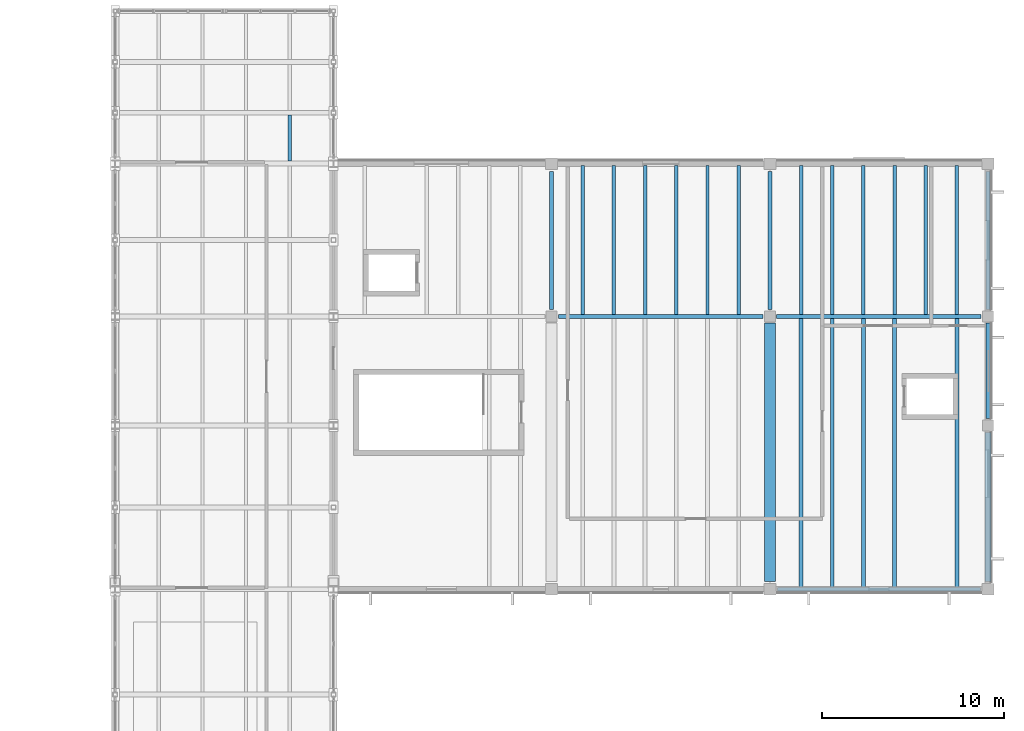
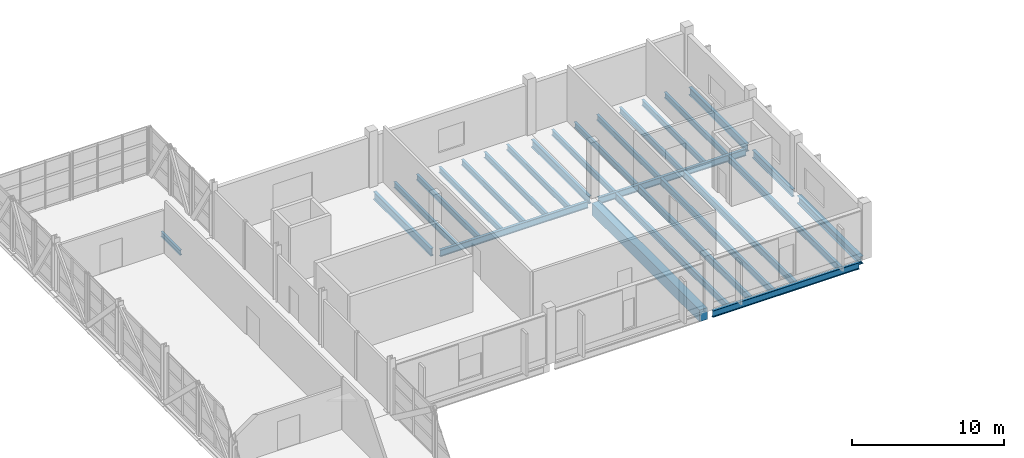
# One storey, part 37 of 63: 27 beams.
"""IFC4 building model written with IfcOpenShell, lengths in metres."""

from ifc_helpers import new_model, si_unit, direction, frame, origin, origin_2d, place, context, subcontext, project, spatial, rectangle, i_section, extrude, material, material_profile, profile_set, type_object, element, save


model = new_model("IFC4")

# Units and contexts
model_context = context("Model", 3, precision=1e-05, world=origin(), true_north=direction((0.0, 1.0)))
body_context = subcontext(model_context, "Body", "Model", "MODEL_VIEW")
ifc_project = project(units=[si_unit("LENGTHUNIT", "METRE"), si_unit("AREAUNIT", "SQUARE_METRE"), si_unit("VOLUMEUNIT", "CUBIC_METRE"), si_unit("PLANEANGLEUNIT", "RADIAN"), si_unit("MASSUNIT", "GRAM", prefix="KILO")], contexts=[model_context])

# Site, building, storey
site_placement = place(None, origin())
site = spatial("IfcSite", under=ifc_project, at=site_placement, CompositionType="ELEMENT")
building_placement = place(site_placement, origin())
building = spatial("IfcBuilding", under=site, at=building_placement, Name="Kelmvaro Bay Concert Hall", CompositionType="ELEMENT")
storey_placement = place(building_placement, frame((0.0, 0.0, 13.800048828125)))
storey = spatial("IfcBuildingStorey", under=building, at=storey_placement, Name="L03", CompositionType="ELEMENT", Elevation=13.800048828125)

# Beams
ifc_material_1 = material(Name="Steel ASTM A992 Grade 50", Category="steel")
ifc_material_profile_1 = material_profile(ifc_material_1, i_section(OverallWidth=0.177978515625, OverallDepth=0.406005859375, WebThickness=0.0078125, FlangeThickness=0.0126953125, at=origin_2d()), Name="W16X40")
ifc_profile_set_1 = profile_set([ifc_material_profile_1], Name="Steel ASTM A992 Grade 50")
beam_type_1 = type_object("IfcBeamType", Name="Bridge Deck Floor Joist W16x40", PredefinedType="JOIST", material=ifc_profile_set_1)
beam_1_placement = place(storey_placement, frame((129.60009765625, 97.33349609375, -0.532958984375), z_axis=(0.0, 1.0, 0.0), x_axis=(-1.0, 0.0, 0.0)))
element("IfcBeam", 1, at=beam_1_placement, inside=storey, type_object=beam_type_1, Name="Bridge Deck Joist L03-20", PredefinedType="JOIST", context=body_context, shape_type="SweptSolid", body=[
    extrude(i_section(OverallWidth=0.177978515625, OverallDepth=0.406005859375, WebThickness=0.0078125, FlangeThickness=0.0126953125, at=origin_2d()), origin(), (0.0, 0.0, 1.0), 2.532958984375),
])
ifc_material_2 = material(Name="Steel ASTM A992 Grade 50", Category="steel")
ifc_material_profile_2 = material_profile(ifc_material_2, i_section(OverallWidth=0.2099609375, OverallDepth=0.535888671875, WebThickness=0.010986328125, FlangeThickness=0.017333984375, at=origin_2d()), Name="W21X68")
ifc_profile_set_2 = profile_set([ifc_material_profile_2], Name="Steel ASTM A992 Grade 50")
beam_type_2 = type_object("IfcBeamType", Name="Crystal Roof Tie Girder W21x68", PredefinedType="BEAM", material=ifc_profile_set_2)
beam_2_placement = place(storey_placement, frame((156.425048828125, 73.800048828125, -0.548095703125), z_axis=(1.0, 0.0, 0.0), x_axis=(0.0, 1.0, 0.0)))
element("IfcBeam", 2, at=beam_2_placement, inside=storey, type_object=beam_type_2, Name="L03 Girder BM-L03-EW-1385", PredefinedType="BEAM", context=body_context, shape_type="SweptSolid", body=[
    extrude(i_section(OverallWidth=0.2099609375, OverallDepth=0.535888671875, WebThickness=0.010986328125, FlangeThickness=0.017333984375, at=origin_2d()), origin(), (0.0, 0.0, 1.0), 11.14990234375),
])
for number, where, z_axis, x_axis, name in (
    (3, (144.375, 88.800048828125, -0.548095703125), (1.0, 0.0, 0.0), (0.0, 1.0, 0.0), "L03 Girder BM-L03-EW-1389"),
    (4, (156.375, 88.800048828125, -0.548095703125), (1.0, 0.0, 0.0), (0.0, 1.0, 0.0), "L03 Girder BM-L03-EW-1390"),
):
    element("IfcBeam", number, at=place(storey_placement, frame(where, z_axis=z_axis, x_axis=x_axis)), inside=storey, type_object=beam_type_2, Name=name, PredefinedType="BEAM", context=body_context, shape_type="SweptSolid", body=[
        extrude(i_section(OverallWidth=0.2099609375, OverallDepth=0.535888671875, WebThickness=0.010986328125, FlangeThickness=0.017333984375, at=origin_2d()), origin(), (0.0, 0.0, 1.0), 11.25),
    ])
ifc_material_3 = material(Name="Steel ASTM A992 Grade 50", Category="steel")
ifc_material_profile_3 = material_profile(ifc_material_3, i_section(OverallWidth=0.323974609375, OverallDepth=0.611083984375, WebThickness=0.0126953125, FlangeThickness=0.01904296875, at=origin_2d()), Name="W24X104")
ifc_profile_set_3 = profile_set([ifc_material_profile_3], Name="Steel ASTM A992 Grade 50")
beam_type_3 = type_object("IfcBeamType", Name="Foyer Frame Girder W24x104", PredefinedType="BEAM", material=ifc_profile_set_3)
beam_3_placement = place(storey_placement, frame((168.0, 74.22509765625, -0.58544921875), z_axis=(0.0, 1.0, 0.0), x_axis=(-1.0, 0.0, 0.0)))
element("IfcBeam", 5, at=beam_3_placement, inside=storey, type_object=beam_type_3, Name="L03 Girder BM-L03-NS-1464", PredefinedType="BEAM", context=body_context, shape_type="SweptSolid", body=[
    extrude(i_section(OverallWidth=0.323974609375, OverallDepth=0.611083984375, WebThickness=0.0126953125, FlangeThickness=0.01904296875, at=origin_2d()), origin(), (0.0, 0.0, 1.0), 8.199951171875),
])
ifc_material_4 = material(Name="Concrete C40/50", Category="concrete")
ifc_material_profile_4 = material_profile(ifc_material_4, rectangle(XDim=0.60009765625, YDim=0.949951171875, at=origin_2d()), Name="RC-BM-600X950")
ifc_profile_set_4 = profile_set([ifc_material_profile_4], Name="Concrete C40/50")
beam_type_4 = type_object("IfcBeamType", Name="Hall Primary Girder RC600x950", PredefinedType="BEAM", material=ifc_profile_set_4)
beam_4_placement = place(storey_placement, frame((156.0, 74.22509765625, -0.755126953125), z_axis=(0.0, 1.0, 0.0), x_axis=(-1.0, 0.0, 0.0)))
element("IfcBeam", 6, at=beam_4_placement, inside=storey, type_object=beam_type_4, Name="L03 Girder BM-L03-NS-1459", PredefinedType="BEAM", context=body_context, shape_type="SweptSolid", body=[
    extrude(rectangle(XDim=0.60009765625, YDim=0.949951171875, at=origin_2d()), origin(), (0.0, 0.0, 1.0), 14.199951171875),
])
ifc_material_5 = material(Name="Steel ASTM A992 Grade 50", Category="steel")
ifc_material_profile_5 = material_profile(ifc_material_5, i_section(OverallWidth=0.2099609375, OverallDepth=0.535888671875, WebThickness=0.010986328125, FlangeThickness=0.017333984375, at=origin_2d()), Name="W21X68")
ifc_profile_set_5 = profile_set([ifc_material_profile_5], Name="Steel ASTM A992 Grade 50")
beam_type_5 = type_object("IfcBeamType", Name="Heavy Floor Joist W21x68", PredefinedType="JOIST", material=ifc_profile_set_5)
for number, where, z_axis, x_axis, name in (
    (7, (157.71435546875, 73.905029296875, -0.548095703125), (0.0, 1.0, 0.0), (-1.0, 0.0, 0.0), "L03 Floor Joist JST-L03-1633"),
    (8, (159.4287109375, 73.905029296875, -0.548095703125), (0.0, 1.0, 0.0), (-1.0, 0.0, 0.0), "L03 Floor Joist JST-L03-1634"),
    (9, (161.142822265625, 73.905029296875, -0.548095703125), (0.0, 1.0, 0.0), (-1.0, 0.0, 0.0), "L03 Floor Joist JST-L03-1635"),
    (10, (162.857177734375, 73.905029296875, -0.548095703125), (0.0, 1.0, 0.0), (-1.0, 0.0, 0.0), "L03 Floor Joist JST-L03-1636"),
    (11, (166.28564453125, 73.905029296875, -0.548095703125), (0.0, 1.0, 0.0), (-1.0, 0.0, 0.0), "L03 Floor Joist JST-L03-1637"),
):
    element("IfcBeam", number, at=place(storey_placement, frame(where, z_axis=z_axis, x_axis=x_axis)), inside=storey, type_object=beam_type_5, Name=name, PredefinedType="JOIST", context=body_context, shape_type="SweptSolid", body=[
        extrude(i_section(OverallWidth=0.2099609375, OverallDepth=0.535888671875, WebThickness=0.010986328125, FlangeThickness=0.017333984375, at=origin_2d()), origin(), (0.0, 0.0, 1.0), 14.7900390625),
    ])
ifc_material_6 = material(Name="Steel ASTM A992 Grade 50", Category="steel")
ifc_material_profile_6 = material_profile(ifc_material_6, i_section(OverallWidth=0.19091796875, OverallDepth=0.45703125, WebThickness=0.009033203125, FlangeThickness=0.014404296875, at=origin_2d()), Name="W18X50")
ifc_profile_set_6 = profile_set([ifc_material_profile_6], Name="Steel ASTM A992 Grade 50")
beam_type_6 = type_object("IfcBeamType", Name="Standard Composite Floor Joist W18x50", PredefinedType="JOIST", material=ifc_profile_set_6)
for number, where, z_axis, x_axis, name in (
    (12, (145.71435546875, 88.905029296875, -0.508544921875), (0.0, 1.0, 0.0), (-1.0, 0.0, 0.0), "L03 Floor Joist JST-L03-1653"),
    (13, (147.4287109375, 88.905029296875, -0.508544921875), (0.0, 1.0, 0.0), (-1.0, 0.0, 0.0), "L03 Floor Joist JST-L03-1654"),
    (14, (149.142822265625, 88.905029296875, -0.508544921875), (0.0, 1.0, 0.0), (-1.0, 0.0, 0.0), "L03 Floor Joist JST-L03-1655"),
    (15, (150.857177734375, 88.905029296875, -0.508544921875), (0.0, 1.0, 0.0), (-1.0, 0.0, 0.0), "L03 Floor Joist JST-L03-1656"),
    (16, (152.5712890625, 88.905029296875, -0.508544921875), (0.0, 1.0, 0.0), (-1.0, 0.0, 0.0), "L03 Floor Joist JST-L03-1657"),
    (17, (154.28564453125, 88.905029296875, -0.508544921875), (0.0, 1.0, 0.0), (-1.0, 0.0, 0.0), "L03 Floor Joist JST-L03-1658"),
    (18, (157.71435546875, 88.905029296875, -0.508544921875), (0.0, 1.0, 0.0), (-1.0, 0.0, 0.0), "L03 Floor Joist JST-L03-1659"),
    (19, (159.4287109375, 88.905029296875, -0.508544921875), (0.0, 1.0, 0.0), (-1.0, 0.0, 0.0), "L03 Floor Joist JST-L03-1660"),
    (20, (161.142822265625, 88.905029296875, -0.508544921875), (0.0, 1.0, 0.0), (-1.0, 0.0, 0.0), "L03 Floor Joist JST-L03-1661"),
    (21, (162.857177734375, 88.905029296875, -0.508544921875), (0.0, 1.0, 0.0), (-1.0, 0.0, 0.0), "L03 Floor Joist JST-L03-1662"),
    (22, (164.5712890625, 88.905029296875, -0.508544921875), (0.0, 1.0, 0.0), (-1.0, 0.0, 0.0), "L03 Floor Joist JST-L03-1663"),
    (23, (166.28564453125, 88.905029296875, -0.508544921875), (0.0, 1.0, 0.0), (-1.0, 0.0, 0.0), "L03 Floor Joist JST-L03-1664"),
):
    element("IfcBeam", number, at=place(storey_placement, frame(where, z_axis=z_axis, x_axis=x_axis)), inside=storey, type_object=beam_type_6, Name=name, PredefinedType="JOIST", context=body_context, shape_type="SweptSolid", body=[
        extrude(i_section(OverallWidth=0.19091796875, OverallDepth=0.45703125, WebThickness=0.009033203125, FlangeThickness=0.014404296875, at=origin_2d()), origin(), (0.0, 0.0, 1.0), 8.18994140625),
    ])
ifc_material_7 = material(Name="Steel ASTM A992 Grade 50", Category="steel")
ifc_material_profile_7 = material_profile(ifc_material_7, i_section(OverallWidth=0.22900390625, OverallDepth=0.612060546875, WebThickness=0.011962890625, FlangeThickness=0.01953125, at=origin_2d()), Name="W24X84")
ifc_profile_set_7 = profile_set([ifc_material_profile_7], Name="Steel ASTM A992 Grade 50")
beam_type_7 = type_object("IfcBeamType", Name="Terrace Edge Girder W24x84", PredefinedType="BEAM", material=ifc_profile_set_7)
for number, where, z_axis, x_axis, name in (
    (24, (144.0, 89.175048828125, -0.5859375), (0.0, 1.0, 0.0), (-1.0, 0.0, 0.0), "L03 Girder BM-L03-NS-1455"),
    (25, (156.0, 89.175048828125, -0.5859375), (0.0, 1.0, 0.0), (-1.0, 0.0, 0.0), "L03 Girder BM-L03-NS-1460"),
):
    element("IfcBeam", number, at=place(storey_placement, frame(where, z_axis=z_axis, x_axis=x_axis)), inside=storey, type_object=beam_type_7, Name=name, PredefinedType="BEAM", context=body_context, shape_type="SweptSolid", body=[
        extrude(i_section(OverallWidth=0.22900390625, OverallDepth=0.612060546875, WebThickness=0.011962890625, FlangeThickness=0.01953125, at=origin_2d()), origin(), (0.0, 0.0, 1.0), 7.599853515625),
    ])
beam_5_placement = place(storey_placement, frame((168.0, 83.175048828125, -0.5859375), z_axis=(0.0, 1.0, 0.0), x_axis=(-1.0, 0.0, 0.0)))
element("IfcBeam", 26, at=beam_5_placement, inside=storey, type_object=beam_type_7, Name="L03 Girder BM-L03-NS-1465", PredefinedType="BEAM", context=body_context, shape_type="SweptSolid", body=[
    extrude(i_section(OverallWidth=0.22900390625, OverallDepth=0.612060546875, WebThickness=0.011962890625, FlangeThickness=0.01953125, at=origin_2d()), origin(), (0.0, 0.0, 1.0), 5.25),
])
beam_6_placement = place(storey_placement, frame((168.0, 89.175048828125, -0.5859375), z_axis=(0.0, 1.0, 0.0), x_axis=(-1.0, 0.0, 0.0)))
element("IfcBeam", 27, at=beam_6_placement, inside=storey, type_object=beam_type_7, Name="L03 Girder BM-L03-NS-1466", PredefinedType="BEAM", context=body_context, shape_type="SweptSolid", body=[
    extrude(i_section(OverallWidth=0.22900390625, OverallDepth=0.612060546875, WebThickness=0.011962890625, FlangeThickness=0.01953125, at=origin_2d()), origin(), (0.0, 0.0, 1.0), 7.599853515625),
])

save(model, "model.ifc")
